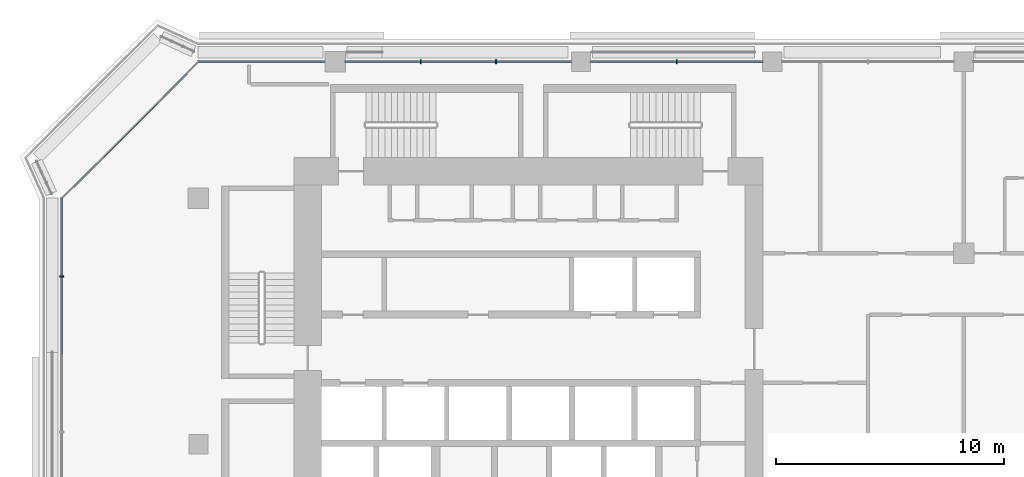
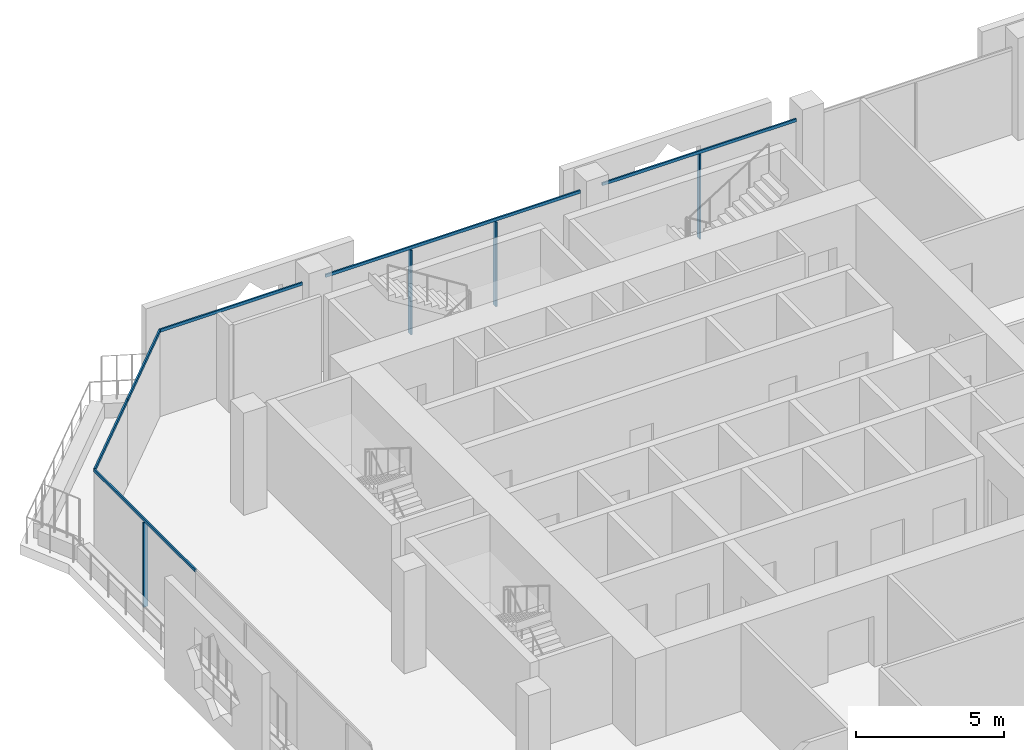
# One storey, part 5 of 21: 10 members, 3 elements without a shape of their own.
"""IFC4 building model written with IfcOpenShell, lengths in metres."""

from ifc_helpers import new_model, si_unit, direction, frame, origin, origin_2d, place, context, subcontext, project, spatial, rectangle, extrude, material, layer, layer_set, material_profile, profile_set, type_object, element, aggregate, save


model = new_model("IFC4")

# Units and contexts
model_context = context("Model", 3, precision=1e-05, world=origin(), true_north=direction((0.0, 1.0)))
body_context = subcontext(model_context, "Body", "Model", "MODEL_VIEW")
ifc_project = project(units=[si_unit("LENGTHUNIT", "METRE"), si_unit("AREAUNIT", "SQUARE_METRE"), si_unit("VOLUMEUNIT", "CUBIC_METRE"), si_unit("PLANEANGLEUNIT", "RADIAN"), si_unit("MASSUNIT", "GRAM", prefix="KILO")], contexts=[model_context])

# Site, building, storey
site_placement = place(None, origin())
site = spatial("IfcSite", under=ifc_project, at=site_placement, CompositionType="ELEMENT")
building_placement = place(site_placement, origin())
building = spatial("IfcBuilding", under=site, at=building_placement, Name="Kawkab Arch Medical Tower", CompositionType="ELEMENT")
storey_placement = place(building_placement, frame((0.0, 0.0, 260.0)))
storey = spatial("IfcBuildingStorey", under=building, at=storey_placement, Name="L60", CompositionType="ELEMENT", Elevation=260.0)

# Curtain wall, member
ifc_material_1 = material(Name="Bronze anodised aluminium curtain wall frame", Category="aluminium")
ifc_layer_1 = layer(ifc_material_1, 0.159912109375)
ifc_layer_set_1 = layer_set([ifc_layer_1], Name="Bronze anodised aluminium curtain wall frame")
curtain_wall_type_1 = type_object("IfcCurtainWallType", Name="CW1 ward curtain wall", PredefinedType="NOTDEFINED", material=ifc_layer_set_1)
placement = place(storey_placement, origin())
curtain_wall_1 = element("IfcCurtainWall", 1, at=placement, inside=storey, type_object=curtain_wall_type_1, Name="CW1 Ward curtain wall R01", PredefinedType="NOTDEFINED")
ifc_material_2 = material(Name="Bronze anodised aluminium curtain wall frame", Category="aluminium")
ifc_material_profile_1 = material_profile(ifc_material_2, rectangle(XDim=0.179931640625, YDim=0.06005859375, at=origin_2d()), Name="AL 60x180")
ifc_profile_set_1 = profile_set([ifc_material_profile_1], Name="Bronze anodised aluminium curtain wall frame")
member_type_1 = type_object("IfcMemberType", Name="CW1 mullion 60 x 180", PredefinedType="MULLION", material=ifc_profile_set_1)
member_1_placement = place(storey_placement, frame((-6.0, -9.419921875, 0.0), z_axis=(0.0, 0.0, 1.0), x_axis=(1.0, 0.0, 0.0)))
member_1 = element("IfcMember", 2, at=member_1_placement, type_object=member_type_1, Name="CW1 mullion 1.1", PredefinedType="MULLION", context=body_context, shape_type="SweptSolid", body=[
    extrude(rectangle(XDim=0.179931640625, YDim=0.06005859375, at=origin_2d()), origin(), (0.0, 0.0, 1.0), 3.47998046875),
])

# Curtain wall, members
curtain_wall_2 = element("IfcCurtainWall", 3, at=placement, inside=storey, type_object=curtain_wall_type_1, Name="CW1 Ward curtain wall R11", PredefinedType="NOTDEFINED")
member_2_placement = place(storey_placement, frame((21.0, 0.0, 0.0), z_axis=(0.0, 0.0, 1.0), x_axis=(0.0, -1.0, 0.0)))
member_2 = element("IfcMember", 4, at=member_2_placement, type_object=member_type_1, Name="CW1 mullion 5.1", PredefinedType="MULLION", context=body_context, shape_type="SweptSolid", body=[
    extrude(rectangle(XDim=0.179931640625, YDim=0.06005859375, at=origin_2d()), origin(), (0.0, 0.0, 1.0), 3.47998046875),
])
member_3_placement = place(storey_placement, frame((13.066650390625, 0.0, 0.0), z_axis=(0.0, 0.0, 1.0), x_axis=(0.0, -1.0, 0.0)))
member_3 = element("IfcMember", 5, at=member_3_placement, type_object=member_type_1, Name="CW1 mullion 6.1", PredefinedType="MULLION", context=body_context, shape_type="SweptSolid", body=[
    extrude(rectangle(XDim=0.179931640625, YDim=0.06005859375, at=origin_2d()), origin(), (0.0, 0.0, 1.0), 3.47998046875),
])
member_4_placement = place(storey_placement, frame((9.75830078125, 0.0, 0.0), z_axis=(0.0, 0.0, 1.0), x_axis=(0.0, -1.0, 0.0)))
member_4 = element("IfcMember", 6, at=member_4_placement, type_object=member_type_1, Name="CW1 mullion 6.2", PredefinedType="MULLION", context=body_context, shape_type="SweptSolid", body=[
    extrude(rectangle(XDim=0.179931640625, YDim=0.06005859375, at=origin_2d()), origin(), (0.0, 0.0, 1.0), 3.47998046875),
])

# Member
ifc_material_3 = material(Name="Bronze anodised aluminium curtain wall frame", Category="aluminium")
ifc_material_profile_2 = material_profile(ifc_material_3, rectangle(XDim=0.06005859375, YDim=0.1201171875, at=origin_2d()), Name="AL 60x120")
ifc_profile_set_2 = profile_set([ifc_material_profile_2], Name="Bronze anodised aluminium curtain wall frame")
member_type_2 = type_object("IfcMemberType", Name="CW1 transom 120 x 60", PredefinedType="USERDEFINED", material=ifc_profile_set_2)
member_5_placement = place(storey_placement, frame((-6.0, -6.0, 3.5400390625), z_axis=(0.0, -1.0, 0.0), x_axis=(1.0, 0.0, 0.0)))
member_5 = element("IfcMember", 7, at=member_5_placement, type_object=member_type_2, Name="CW1 transom 1", ObjectType="TRANSOM", PredefinedType="USERDEFINED", context=body_context, shape_type="SweptSolid", body=[
    extrude(rectangle(XDim=0.06005859375, YDim=0.1201171875, at=origin_2d()), origin(), (0.0, 0.0, 1.0), 6.840087890625),
])

aggregate(curtain_wall_1, [member_5, member_1])

member_6_placement = place(storey_placement, frame((24.77490234375, 0.0, 3.5400390625), z_axis=(-1.0, 0.0, 0.0), x_axis=(0.0, -1.0, 0.0)))
member_6 = element("IfcMember", 8, at=member_6_placement, type_object=member_type_2, Name="CW1 transom 5", ObjectType="TRANSOM", PredefinedType="USERDEFINED", context=body_context, shape_type="SweptSolid", body=[
    extrude(rectangle(XDim=0.06005859375, YDim=0.1201171875, at=origin_2d()), origin(), (0.0, 0.0, 1.0), 7.5498046875),
])

member_7_placement = place(storey_placement, frame((16.375, 0.0, 3.5400390625), z_axis=(-1.0, 0.0, 0.0), x_axis=(0.0, -1.0, 0.0)))
member_7 = element("IfcMember", 9, at=member_7_placement, type_object=member_type_2, Name="CW1 transom 6", ObjectType="TRANSOM", PredefinedType="USERDEFINED", context=body_context, shape_type="SweptSolid", body=[
    extrude(rectangle(XDim=0.06005859375, YDim=0.1201171875, at=origin_2d()), origin(), (0.0, 0.0, 1.0), 9.925048828125),
])

member_8_placement = place(storey_placement, frame((5.550048828125, 0.0, 3.5400390625), z_axis=(-1.0, 0.0, 0.0), x_axis=(0.0, -1.0, 0.0)))
member_8 = element("IfcMember", 10, at=member_8_placement, type_object=member_type_2, Name="CW1 transom 7", ObjectType="TRANSOM", PredefinedType="USERDEFINED", context=body_context, shape_type="SweptSolid", body=[
    extrude(rectangle(XDim=0.06005859375, YDim=0.1201171875, at=origin_2d()), origin(), (0.0, 0.0, 1.0), 5.550048828125),
])

aggregate(curtain_wall_2, [member_6, member_2, member_7, member_3, member_4, member_8])

# Curtain wall, members
ifc_material_4 = material(Name="Bronze anodised aluminium curtain wall frame", Category="aluminium")
ifc_layer_2 = layer(ifc_material_4, 0.159912109375)
ifc_layer_set_2 = layer_set([ifc_layer_2], Name="Bronze anodised aluminium curtain wall frame")
curtain_wall_type_2 = type_object("IfcCurtainWallType", Name="CW2 chamfer curtain wall", PredefinedType="NOTDEFINED", material=ifc_layer_set_2)
curtain_wall_3 = element("IfcCurtainWall", 11, at=placement, inside=storey, type_object=curtain_wall_type_2, Name="CW2 Chamfer curtain wall R12", PredefinedType="NOTDEFINED")
ifc_material_5 = material(Name="Bronze anodised aluminium curtain wall frame", Category="aluminium")
ifc_material_profile_3 = material_profile(ifc_material_5, rectangle(XDim=0.06005859375, YDim=0.139892578125, at=origin_2d()), Name="AL 60x140")
ifc_profile_set_3 = profile_set([ifc_material_profile_3], Name="Bronze anodised aluminium curtain wall frame")
member_type_3 = type_object("IfcMemberType", Name="CW2 transom 140 x 60", PredefinedType="USERDEFINED", material=ifc_profile_set_3)
member_9_placement = place(storey_placement, frame((0.0, 0.0, 3.530029296875), z_axis=(-0.707106781187, -0.707106781187, 0.0), x_axis=(0.707106781187, -0.707106781187, 0.0)))
member_9 = element("IfcMember", 12, at=member_9_placement, type_object=member_type_3, Name="CW2 transom 1", ObjectType="TRANSOM", PredefinedType="USERDEFINED", context=body_context, shape_type="SweptSolid", body=[
    extrude(rectangle(XDim=0.06005859375, YDim=0.139892578125, at=origin_2d()), origin(), (0.0, 0.0, 1.0), 4.24267578125),
])
member_10_placement = place(storey_placement, frame((-3.0, -3.0, 3.530029296875), z_axis=(-0.707106781187, -0.707106781187, 0.0), x_axis=(0.707106781187, -0.707106781187, 0.0)))
member_10 = element("IfcMember", 13, at=member_10_placement, type_object=member_type_3, Name="CW2 transom 2", ObjectType="TRANSOM", PredefinedType="USERDEFINED", context=body_context, shape_type="SweptSolid", body=[
    extrude(rectangle(XDim=0.06005859375, YDim=0.139892578125, at=origin_2d()), origin(), (0.0, 0.0, 1.0), 4.24267578125),
])
aggregate(curtain_wall_3, [member_9, member_10])

save(model, "model.ifc")
